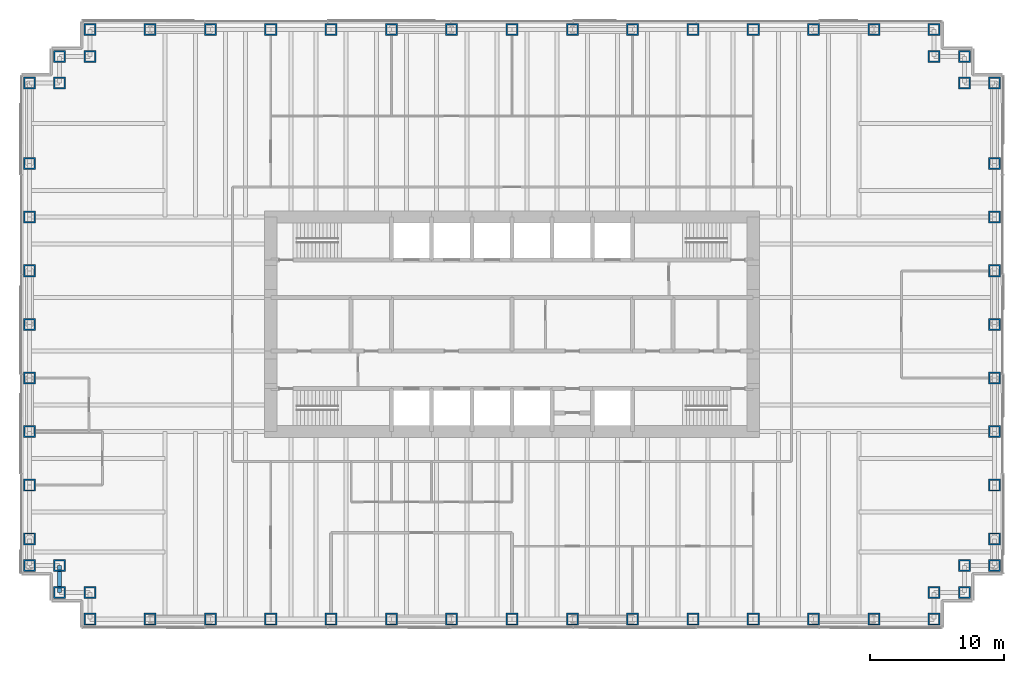
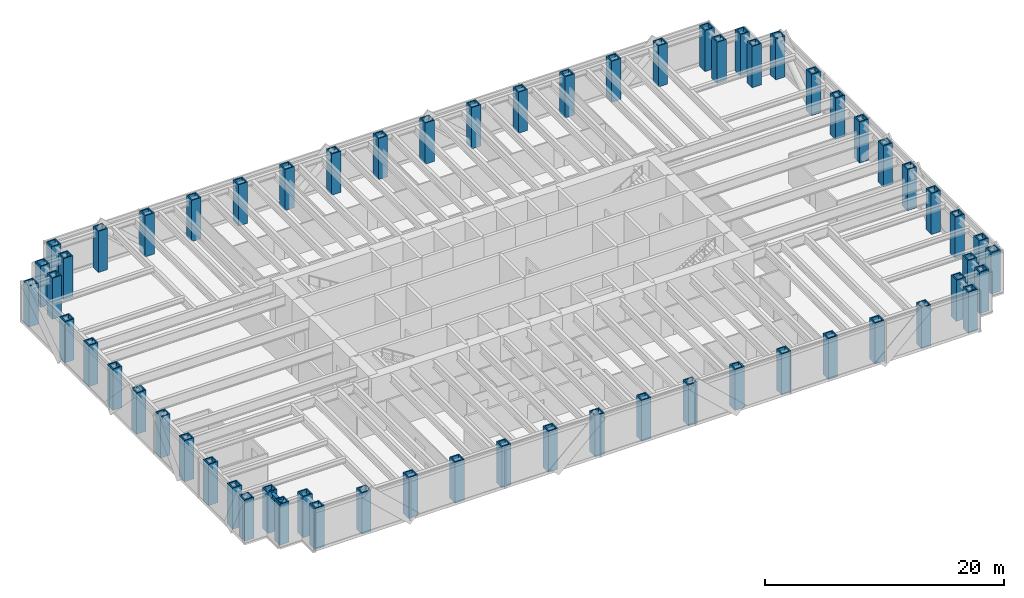
# One storey, part 1 of 15: 62 columns, 1 beam.
"""IFC4 building model written with IfcOpenShell, lengths in metres."""

import ifcopenshell
import ifcopenshell.guid

model = None  # the IFC model being written
_history = None  # IfcOwnerHistory: only IFC2X3 demands one
_inside = {}  # id of a spatial element -> (the spatial element, [elements in it])
_under = {}  # id of a project, library or spatial element -> (it, [spatial elements below it])
_declared = {}  # id of a project -> (the project, [libraries it declares])
_typed = {}  # id of a type object -> (the type object, [elements of that type])
_made_of = {}  # id of a material, layer set ... -> (it, [elements and type objects made of it])


def new_model(schema):
    """Start an empty IFC model of exactly this schema.

    Asked for "IFC4X3", IfcOpenShell would pick the latest addendum, in which some entities
    have other attributes; the version numbers below select the first issue.
    IFC2X3 requires an IfcOwnerHistory on every rooted entity: one is made here for all.
    """
    global model, _history
    if schema == "IFC4X3":
        model = ifcopenshell.file(schema_version=(4, 3, 0, 0))
    else:
        model = ifcopenshell.file(schema=schema)
    _inside.clear()
    _under.clear()
    _declared.clear()
    _typed.clear()
    _made_of.clear()
    _history = None
    if model.schema == "IFC2X3":
        org = make("IfcOrganization", Name="unknown")
        user = make(
            "IfcPersonAndOrganization",
            ThePerson=make("IfcPerson", FamilyName="unknown"),
            TheOrganization=org,
        )
        app = make(
            "IfcApplication",
            ApplicationDeveloper=org,
            Version="unknown",
            ApplicationFullName="unknown",
            ApplicationIdentifier="unknown",
        )
        _history = make(
            "IfcOwnerHistory",
            OwningUser=user,
            OwningApplication=app,
            ChangeAction="ADDED",
            CreationDate=0,
        )
    return model


def make(cls, **values):
    """One entity of the class cls with the attributes given. An attribute that is None is left unset."""
    return model.create_entity(
        cls, **{name: value for name, value in values.items() if value is not None}
    )


def rooted(cls, **values):
    """An entity with a GlobalId (a new one), such as an element, a storey or a relation."""
    return make(cls, GlobalId=ifcopenshell.guid.new(), OwnerHistory=_history, **values)


def si_unit(unit_type, name, prefix=None):
    """IfcSIUnit, for example si_unit("LENGTHUNIT", "METRE", prefix="MILLI")."""
    return make("IfcSIUnit", UnitType=unit_type, Prefix=prefix, Name=name)


def assignment(units):
    """IfcUnitAssignment: the units of a project."""
    return None if units is None else make("IfcUnitAssignment", Units=units)


def point(xyz):
    """IfcCartesianPoint."""
    return None if xyz is None else make("IfcCartesianPoint", Coordinates=xyz)


def direction(xyz):
    """IfcDirection."""
    return None if xyz is None else make("IfcDirection", DirectionRatios=xyz)


def frame(location, z_axis=None, x_axis=None):
    """IfcAxis2Placement3D, a coordinate frame: its origin and axes. An axis left out is left unset."""
    return make(
        "IfcAxis2Placement3D",
        Location=point(location),
        Axis=direction(z_axis),
        RefDirection=direction(x_axis),
    )


def frame_2d(location, x_axis=None):
    """IfcAxis2Placement2D, a coordinate frame in the plane: its origin and x axis."""
    return make(
        "IfcAxis2Placement2D", Location=point(location), RefDirection=direction(x_axis)
    )


def origin():
    """The frame at (0, 0, 0) with its axes left unset."""
    return frame((0.0, 0.0, 0.0))


def origin_2d():
    """The frame at (0, 0) in the plane with its x axis left unset."""
    return frame_2d((0.0, 0.0))


def place(relative_to, where):
    """IfcLocalPlacement: puts the frame where relative to a parent placement (None: the world)."""
    return make(
        "IfcLocalPlacement", PlacementRelTo=relative_to, RelativePlacement=where
    )


def context(
    kind, dimensions, precision=None, world=None, true_north=None, identifier=None
):
    """IfcGeometricRepresentationContext, for example the 3D "Model" context."""
    return make(
        "IfcGeometricRepresentationContext",
        ContextIdentifier=identifier,
        ContextType=kind,
        CoordinateSpaceDimension=dimensions,
        Precision=precision,
        WorldCoordinateSystem=world,
        TrueNorth=true_north,
    )


def subcontext(parent, identifier, kind, view, scale=None):
    """IfcGeometricRepresentationSubContext, for example "Body" below "Model"."""
    return make(
        "IfcGeometricRepresentationSubContext",
        ContextIdentifier=identifier,
        ContextType=kind,
        ParentContext=parent,
        TargetScale=scale,
        TargetView=view,
    )


def project(units=None, contexts=None):
    """IfcProject with its units and contexts."""
    return rooted(
        "IfcProject",
        Name="project",
        RepresentationContexts=contexts,
        UnitsInContext=assignment(units),
    )


def spatial(cls, under=None, at=None, **own):
    """A site, building, storey or space (cls), placed at a placement, below another one or the project."""
    s = rooted(cls, ObjectPlacement=at, **own)
    if under is not None:
        _under.setdefault(under.id(), (under, []))[1].append(s)
    return s


def profile(cls, at=None, kind="AREA", **sizes):
    """A parametric profile (cls). Its sizes go by their IFC names, for example OverallWidth=200.0."""
    return make(cls, ProfileType=kind, Position=at, **sizes)


def hollow_rectangle(**sizes):
    """IfcRectangleHollowProfileDef."""
    return profile("IfcRectangleHollowProfileDef", **sizes)


def i_section(**sizes):
    """IfcIShapeProfileDef."""
    return profile("IfcIShapeProfileDef", **sizes)


def extrude(swept, where, along, depth):
    """IfcExtrudedAreaSolid: the profile swept, set in the frame where, extruded along a direction by depth."""
    return make(
        "IfcExtrudedAreaSolid",
        SweptArea=swept,
        Position=where,
        ExtrudedDirection=direction(along),
        Depth=depth,
    )


def shape(context_of_items, identifier, shape_type, items):
    """IfcShapeRepresentation: the items that make up one representation, for example the "Body"."""
    return make(
        "IfcShapeRepresentation",
        ContextOfItems=context_of_items,
        RepresentationIdentifier=identifier,
        RepresentationType=shape_type,
        Items=items,
    )


def material(Name=None, Category=None):
    """IfcMaterial."""
    return make("IfcMaterial", Name=Name, Category=Category)


def material_profile(
    of_material, cross_section, Name=None, Category=None, Priority=None
):
    """IfcMaterialProfile: a cross section and its material."""
    return make(
        "IfcMaterialProfile",
        Name=Name,
        Material=of_material,
        Profile=cross_section,
        Priority=Priority,
        Category=Category,
    )


def profile_set(profiles, Name=None, composite=None):
    """IfcMaterialProfileSet."""
    return make(
        "IfcMaterialProfileSet",
        Name=Name,
        MaterialProfiles=profiles,
        CompositeProfile=composite,
    )


def made_of(thing, what):
    """Note that an element or type object is made of a material, layer set ...; save() writes the relation."""
    if what is not None:
        _made_of.setdefault(what.id(), (what, []))[1].append(thing)
    return thing


def type_object(cls, material=None, **own):
    """A type object (cls), such as IfcWallType, which elements share."""
    return made_of(rooted(cls, **own), material)


def element(
    cls,
    number,
    at=None,
    inside=None,
    cuts=None,
    type_object=None,
    material=None,
    context=None,
    identifier="Body",
    shape_type=None,
    held_by="IfcProductDefinitionShape",
    body=None,
    shapes=None,
    **own,
):
    """One element of the class cls, such as IfcWall. Its Tag is "e" and its number.

    at: its placement. inside: the storey or other place that contains it. cuts: it is an
    opening in that element (IfcRelVoidsElement). A single representation is given by context,
    identifier, shape_type and body (its items); several are given by shapes. held_by: the class
    of the entity that holds the representations. save() writes the other relations.
    """
    e = rooted(cls, Tag="e%d" % number, ObjectPlacement=at, **own)
    if body is not None:
        shapes = [shape(context, identifier, shape_type, body)]
    if shapes is not None:
        e.Representation = make(held_by, Representations=shapes)
    if inside is not None:
        _inside.setdefault(inside.id(), (inside, []))[1].append(e)
    if cuts is not None:
        rooted(
            "IfcRelVoidsElement", RelatingBuildingElement=cuts, RelatedOpeningElement=e
        )
    if type_object is not None:
        _typed.setdefault(type_object.id(), (type_object, []))[1].append(e)
    return made_of(e, material)


def aggregate(whole, parts):
    """IfcRelAggregates: a whole, such as a stair, and the parts it consists of."""
    return rooted("IfcRelAggregates", RelatingObject=whole, RelatedObjects=parts)


def save(model, path):
    """Write the relations noted so far, then the file.

    IfcRelAggregates (storeys below a building ...), IfcRelContainedInSpatialStructure (elements
    in a storey), IfcRelDefinesByType, IfcRelAssociatesMaterial and IfcRelDeclares: one each for
    every whole, place, type object, material and project.
    """
    for whole, parts in _under.values():
        aggregate(whole, parts)
    for where, things in _inside.values():
        rooted(
            "IfcRelContainedInSpatialStructure",
            RelatedElements=things,
            RelatingStructure=where,
        )
    for kind, things in _typed.values():
        rooted("IfcRelDefinesByType", RelatedObjects=things, RelatingType=kind)
    for what, things in _made_of.values():
        rooted("IfcRelAssociatesMaterial", RelatedObjects=things, RelatingMaterial=what)
    for by, libraries in _declared.values():
        rooted("IfcRelDeclares", RelatingContext=by, RelatedDefinitions=libraries)
    model.write(path)


model = new_model("IFC4")

# Units and contexts
model_context = context("Model", 3, precision=1e-05, world=origin(), true_north=direction((0.0, 1.0)))
body_context = subcontext(model_context, "Body", "Model", "MODEL_VIEW")
ifc_project = project(units=[si_unit("LENGTHUNIT", "METRE"), si_unit("AREAUNIT", "SQUARE_METRE"), si_unit("VOLUMEUNIT", "CUBIC_METRE"), si_unit("PLANEANGLEUNIT", "RADIAN"), si_unit("MASSUNIT", "GRAM", prefix="KILO")], contexts=[model_context])

# Site, building, storey
site_placement = place(None, origin())
site = spatial("IfcSite", under=ifc_project, at=site_placement, CompositionType="ELEMENT")
building_placement = place(site_placement, origin())
building = spatial("IfcBuilding", under=site, at=building_placement, Name="Rheinbord Bourse Tower", CompositionType="ELEMENT")
storey_placement = place(building_placement, frame((0.0, 0.0, 117.300048828125)))
storey = spatial("IfcBuildingStorey", under=building, at=storey_placement, Name="L25", CompositionType="ELEMENT", Elevation=117.300048828125)

# Columns
ifc_material_1 = material(Name="Steel S460M", Category="steel")
ifc_material_profile_1 = material_profile(ifc_material_1, hollow_rectangle(XDim=0.89990234375, YDim=0.89990234375, WallThickness=0.110107421875, at=origin_2d()), Name="BOX 900x900x110")
ifc_profile_set_1 = profile_set([ifc_material_profile_1], Name="Steel S460M")
column_type = type_object("IfcColumnType", Name="TUBE COLUMN BOX 900x900x110", PredefinedType="COLUMN", material=ifc_profile_set_1)
for number, where, z_axis, x_axis, name in (
    (1, (4.5, 2.0, 0.0), (0.0, 0.0, 1.0), (0.0, 1.0, 0.0), "Column SW-E L25"),
    (2, (9.0, 2.0, 0.0), (0.0, 0.0, 1.0), (0.0, 1.0, 0.0), "Column S-9 L25"),
    (3, (13.5, 2.0, 0.0), (0.0, 0.0, 1.0), (0.0, 1.0, 0.0), "Column S-13.5 L25"),
    (4, (18.0, 2.0, 0.0), (0.0, 0.0, 1.0), (0.0, 1.0, 0.0), "Column S-18 L25"),
    (5, (22.5, 2.0, 0.0), (0.0, 0.0, 1.0), (0.0, 1.0, 0.0), "Column S-22.5 L25"),
    (6, (27.0, 2.0, 0.0), (0.0, 0.0, 1.0), (0.0, 1.0, 0.0), "Column S-27 L25"),
    (7, (31.5, 2.0, 0.0), (0.0, 0.0, 1.0), (0.0, 1.0, 0.0), "Column S-31.5 L25"),
    (8, (36.0, 2.0, 0.0), (0.0, 0.0, 1.0), (0.0, 1.0, 0.0), "Column S-36 L25"),
    (9, (40.5, 2.0, 0.0), (0.0, 0.0, 1.0), (0.0, 1.0, 0.0), "Column S-40.5 L25"),
    (10, (45.0, 2.0, 0.0), (0.0, 0.0, 1.0), (0.0, 1.0, 0.0), "Column S-45 L25"),
    (11, (49.5, 2.0, 0.0), (0.0, 0.0, 1.0), (0.0, 1.0, 0.0), "Column S-49.5 L25"),
    (12, (54.0, 2.0, 0.0), (0.0, 0.0, 1.0), (0.0, 1.0, 0.0), "Column S-54 L25"),
    (13, (58.5, 2.0, 0.0), (0.0, 0.0, 1.0), (0.0, 1.0, 0.0), "Column S-58.5 L25"),
    (14, (63.0, 2.0, 0.0), (0.0, 0.0, 1.0), (0.0, 1.0, 0.0), "Column S-63 L25"),
    (15, (67.5, 2.0, 0.0), (0.0, 0.0, 1.0), (0.0, 1.0, 0.0), "Column SE-E L25"),
    (16, (67.5, 4.0, 0.0), (0.0, 0.0, 1.0), (0.0, 1.0, 0.0), "Column SE-D L25"),
    (17, (69.75, 4.0, 0.0), (0.0, 0.0, 1.0), (1.0, 0.0, 0.0), "Column SE-C L25"),
    (18, (69.75, 6.0, 0.0), (0.0, 0.0, 1.0), (1.0, 0.0, 0.0), "Column SE-B L25"),
    (19, (72.0, 6.0, 0.0), (0.0, 0.0, 1.0), (1.0, 0.0, 0.0), "Column SE-A L25"),
    (20, (72.0, 8.0, 0.0), (0.0, 0.0, 1.0), (1.0, 0.0, 0.0), "Column E-8 L25"),
    (21, (72.0, 12.0, 0.0), (0.0, 0.0, 1.0), (1.0, 0.0, 0.0), "Column E-12 L25"),
    (22, (72.0, 16.0, 0.0), (0.0, 0.0, 1.0), (1.0, 0.0, 0.0), "Column E-16 L25"),
    (23, (72.0, 20.0, 0.0), (0.0, 0.0, 1.0), (1.0, 0.0, 0.0), "Column E-20 L25"),
    (24, (72.0, 24.0, 0.0), (0.0, 0.0, 1.0), (1.0, 0.0, 0.0), "Column E-24 L25"),
    (25, (72.0, 28.0, 0.0), (0.0, 0.0, 1.0), (1.0, 0.0, 0.0), "Column E-28 L25"),
    (26, (72.0, 32.0, 0.0), (0.0, 0.0, 1.0), (1.0, 0.0, 0.0), "Column E-32 L25"),
    (27, (72.0, 36.0, 0.0), (0.0, 0.0, 1.0), (1.0, 0.0, 0.0), "Column E-36 L25"),
    (28, (72.0, 42.0, 0.0), (0.0, 0.0, 1.0), (1.0, 0.0, 0.0), "Column NE-A L25"),
    (29, (69.75, 42.0, 0.0), (0.0, 0.0, 1.0), (1.0, 0.0, 0.0), "Column NE-B L25"),
    (30, (69.75, 44.0, 0.0), (0.0, 0.0, 1.0), (1.0, 0.0, 0.0), "Column NE-C L25"),
    (31, (67.5, 44.0, 0.0), (0.0, 0.0, 1.0), (0.0, 1.0, 0.0), "Column NE-D L25"),
    (32, (67.5, 46.0, 0.0), (0.0, 0.0, 1.0), (0.0, 1.0, 0.0), "Column NE-E L25"),
    (33, (63.0, 46.0, 0.0), (0.0, 0.0, 1.0), (0.0, 1.0, 0.0), "Column N-63 L25"),
    (34, (58.5, 46.0, 0.0), (0.0, 0.0, 1.0), (0.0, 1.0, 0.0), "Column N-58.5 L25"),
    (35, (54.0, 46.0, 0.0), (0.0, 0.0, 1.0), (0.0, 1.0, 0.0), "Column N-54 L25"),
    (36, (49.5, 46.0, 0.0), (0.0, 0.0, 1.0), (0.0, 1.0, 0.0), "Column N-49.5 L25"),
    (37, (45.0, 46.0, 0.0), (0.0, 0.0, 1.0), (0.0, 1.0, 0.0), "Column N-45 L25"),
    (38, (40.5, 46.0, 0.0), (0.0, 0.0, 1.0), (0.0, 1.0, 0.0), "Column N-40.5 L25"),
    (39, (36.0, 46.0, 0.0), (0.0, 0.0, 1.0), (0.0, 1.0, 0.0), "Column N-36 L25"),
    (40, (31.5, 46.0, 0.0), (0.0, 0.0, 1.0), (0.0, 1.0, 0.0), "Column N-31.5 L25"),
    (41, (27.0, 46.0, 0.0), (0.0, 0.0, 1.0), (0.0, 1.0, 0.0), "Column N-27 L25"),
    (42, (22.5, 46.0, 0.0), (0.0, 0.0, 1.0), (0.0, 1.0, 0.0), "Column N-22.5 L25"),
    (43, (18.0, 46.0, 0.0), (0.0, 0.0, 1.0), (0.0, 1.0, 0.0), "Column N-18 L25"),
    (44, (13.5, 46.0, 0.0), (0.0, 0.0, 1.0), (0.0, 1.0, 0.0), "Column N-13.5 L25"),
    (45, (9.0, 46.0, 0.0), (0.0, 0.0, 1.0), (0.0, 1.0, 0.0), "Column N-9 L25"),
    (46, (4.5, 46.0, 0.0), (0.0, 0.0, 1.0), (0.0, 1.0, 0.0), "Column NW-E L25"),
    (47, (4.5, 44.0, 0.0), (0.0, 0.0, 1.0), (0.0, 1.0, 0.0), "Column NW-D L25"),
    (48, (2.25, 44.0, 0.0), (0.0, 0.0, 1.0), (1.0, 0.0, 0.0), "Column NW-C L25"),
    (49, (2.25, 42.0, 0.0), (0.0, 0.0, 1.0), (1.0, 0.0, 0.0), "Column NW-B L25"),
    (50, (0.0, 42.0, 0.0), (0.0, 0.0, 1.0), (1.0, 0.0, 0.0), "Column NW-A L25"),
    (51, (0.0, 36.0, 0.0), (0.0, 0.0, 1.0), (1.0, 0.0, 0.0), "Column W-36 L25"),
    (52, (0.0, 32.0, 0.0), (0.0, 0.0, 1.0), (1.0, 0.0, 0.0), "Column W-32 L25"),
    (53, (0.0, 28.0, 0.0), (0.0, 0.0, 1.0), (1.0, 0.0, 0.0), "Column W-28 L25"),
    (54, (0.0, 24.0, 0.0), (0.0, 0.0, 1.0), (1.0, 0.0, 0.0), "Column W-24 L25"),
    (55, (0.0, 20.0, 0.0), (0.0, 0.0, 1.0), (1.0, 0.0, 0.0), "Column W-20 L25"),
    (56, (0.0, 16.0, 0.0), (0.0, 0.0, 1.0), (1.0, 0.0, 0.0), "Column W-16 L25"),
    (57, (0.0, 12.0, 0.0), (0.0, 0.0, 1.0), (1.0, 0.0, 0.0), "Column W-12 L25"),
    (58, (0.0, 8.0, 0.0), (0.0, 0.0, 1.0), (1.0, 0.0, 0.0), "Column W-8 L25"),
    (59, (0.0, 6.0, 0.0), (0.0, 0.0, 1.0), (1.0, 0.0, 0.0), "Column SW-A L25"),
    (60, (2.25, 6.0, 0.0), (0.0, 0.0, 1.0), (1.0, 0.0, 0.0), "Column SW-B L25"),
    (61, (2.25, 4.0, 0.0), (0.0, 0.0, 1.0), (1.0, 0.0, 0.0), "Column SW-C L25"),
    (62, (4.5, 4.0, 0.0), (0.0, 0.0, 1.0), (0.0, 1.0, 0.0), "Column SW-D L25"),
):
    element("IfcColumn", number, at=place(storey_placement, frame(where, z_axis=z_axis, x_axis=x_axis)), inside=storey, type_object=column_type, Name=name, PredefinedType="COLUMN", context=body_context, shape_type="SweptSolid", body=[
        extrude(hollow_rectangle(XDim=0.89990234375, YDim=0.89990234375, WallThickness=0.110107421875, at=origin_2d()), origin(), (0.0, 0.0, 1.0), 4.199951171875),
    ])

# Beam
ifc_material_2 = material(Name="Steel S460", Category="steel")
ifc_material_profile_2 = material_profile(ifc_material_2, i_section(OverallWidth=0.305908203125, OverallDepth=0.572021484375, WebThickness=0.02099609375, FlangeThickness=0.0400390625, at=origin_2d()), Name="HEM 550")
ifc_profile_set_2 = profile_set([ifc_material_profile_2], Name="Steel S460")
beam_type = type_object("IfcBeamType", Name="SPANDREL HEM 550", PredefinedType="SPANDREL", material=ifc_profile_set_2)
beam_placement = place(storey_placement, frame((2.25, 6.0, 3.75390625), z_axis=(0.0, -1.0, 0.0), x_axis=(1.0, 0.0, 0.0)))
element("IfcBeam", 63, at=beam_placement, inside=storey, type_object=beam_type, Name="Spandrel SW-B-SW-C under L26", PredefinedType="SPANDREL", context=body_context, shape_type="SweptSolid", body=[
    extrude(i_section(OverallWidth=0.305908203125, OverallDepth=0.572021484375, WebThickness=0.02099609375, FlangeThickness=0.0400390625, at=origin_2d()), origin(), (0.0, 0.0, 1.0), 2.0),
])

save(model, "model.ifc")
